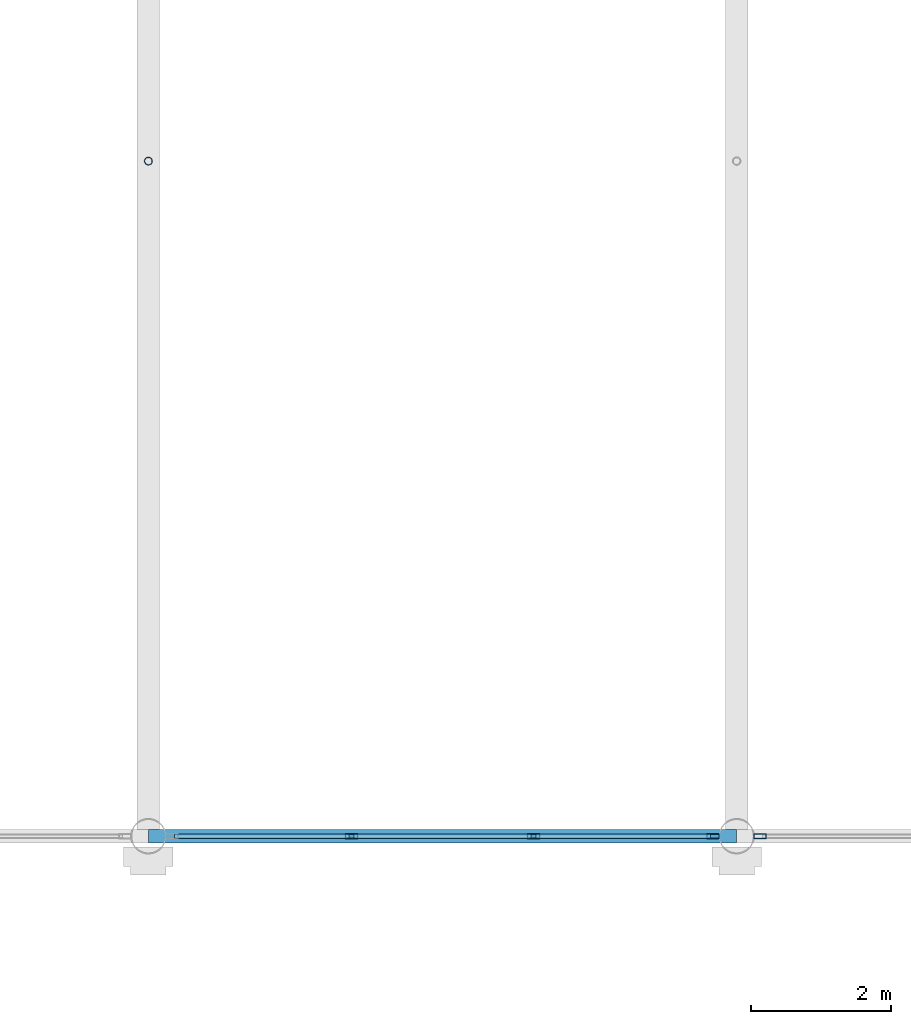
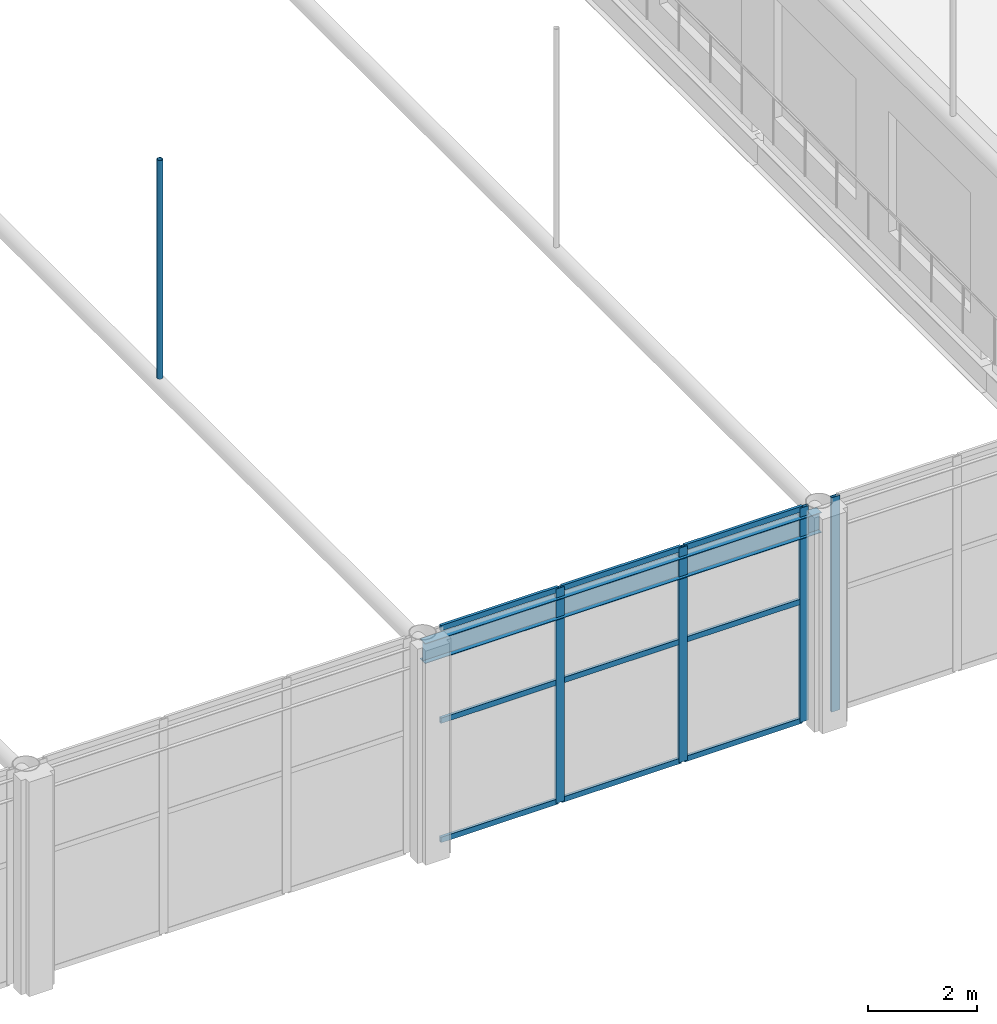
# One storey, part 23 of 167: 14 members, 1 beam, 2 elements without a shape of their own.
"""IFC4 building model written with IfcOpenShell, lengths in metres."""

from ifc_helpers import new_model, si_unit, direction, frame, origin, origin_2d, place, context, subcontext, project, spatial, hollow_rectangle, hollow_circle, i_section, extrude, material, material_profile, profile_set, type_object, element, aggregate, save


model = new_model("IFC4")

# Units and contexts
model_context = context("Model", 3, precision=1e-05, world=origin(), true_north=direction((0.0, 1.0)))
body_context = subcontext(model_context, "Body", "Model", "MODEL_VIEW")
ifc_project = project(units=[si_unit("LENGTHUNIT", "METRE"), si_unit("AREAUNIT", "SQUARE_METRE"), si_unit("VOLUMEUNIT", "CUBIC_METRE"), si_unit("PLANEANGLEUNIT", "RADIAN"), si_unit("MASSUNIT", "GRAM", prefix="KILO")], contexts=[model_context])

# Site, building, storey
site_placement = place(None, origin())
site = spatial("IfcSite", under=ifc_project, at=site_placement, CompositionType="ELEMENT")
building_placement = place(site_placement, origin())
building = spatial("IfcBuilding", under=site, at=building_placement, Name="Catenary Quay Ferry Terminal", CompositionType="ELEMENT")
storey_placement = place(building_placement, frame((0.0, 0.0, 6.0)))
storey = spatial("IfcBuildingStorey", under=building, at=storey_placement, Name="L01", CompositionType="ELEMENT", Elevation=6.0)

# Beam
ifc_material_1 = material(Name="Steel S355", Category="steel")
ifc_material_profile_1 = material_profile(ifc_material_1, i_section(OverallWidth=0.18994140625, OverallDepth=0.453369140625, WebThickness=0.008544921875, FlangeThickness=0.0126953125, at=origin_2d()), Name="UB 457x191x67")
ifc_profile_set_1 = profile_set([ifc_material_profile_1], Name="Steel S355")
beam_type = type_object("IfcBeamType", Name="B1 UB 457x191x67", PredefinedType="BEAM", material=ifc_profile_set_1)
beam_placement = place(storey_placement, frame((42.0, 67.199951171875, 4.373046875), z_axis=(1.0, 0.0, 0.0), x_axis=(0.0, 1.0, 0.0)))
element("IfcBeam", 1, at=beam_placement, inside=storey, type_object=beam_type, Name="Beam B1-003", PredefinedType="BEAM", context=body_context, shape_type="SweptSolid", body=[
    extrude(i_section(OverallWidth=0.18994140625, OverallDepth=0.453369140625, WebThickness=0.008544921875, FlangeThickness=0.0126953125, at=origin_2d()), origin(), (0.0, 0.0, 1.0), 8.39990234375),
])

# Member
ifc_material_2 = material(Name="Steel S355", Category="steel")
ifc_material_profile_2 = material_profile(ifc_material_2, hollow_circle(Radius=0.05712890625, WallThickness=0.00634765625, at=origin_2d()), Name="CHS 114.3x6.3")
ifc_profile_set_2 = profile_set([ifc_material_profile_2], Name="Steel S355")
member_type_1 = type_object("IfcMemberType", Name="HG1 CHS 114.3x6.3", PredefinedType="POST", material=ifc_profile_set_2)
member_1_placement = place(storey_placement, frame((42.0, 76.840087890625, 4.654052734375), z_axis=(0.0, 0.0, 1.0), x_axis=(1.0, 0.0, 0.0)))
element("IfcMember", 2, at=member_1_placement, inside=storey, type_object=member_type_1, Name="Hanger VA-03-03", PredefinedType="POST", context=body_context, shape_type="SweptSolid", body=[
    extrude(hollow_circle(Radius=0.05712890625, WallThickness=0.00634765625, at=origin_2d()), origin(), (0.0, 0.0, 1.0), 4.89599609375),
])

# Curtain wall, members
ifc_material_3 = material(Name="Aluminium and glass", Category="aluminium")
curtain_wall_type = type_object("IfcCurtainWallType", Name="CWH", PredefinedType="NOTDEFINED", material=ifc_material_3)
curtain_wall_1_placement = place(storey_placement, origin())
curtain_wall_1 = element("IfcCurtainWall", 3, at=curtain_wall_1_placement, inside=storey, type_object=curtain_wall_type, Name="Hall curtain wall CW34", PredefinedType="NOTDEFINED")
ifc_material_4 = material(Name="Aluminium", Category="aluminium")
ifc_material_profile_3 = material_profile(ifc_material_4, hollow_rectangle(XDim=0.070068359375, YDim=0.179931640625, WallThickness=0.006103515625, at=origin_2d()), Name="MU3")
ifc_profile_set_3 = profile_set([ifc_material_profile_3], Name="Aluminium")
member_type_2 = type_object("IfcMemberType", Name="MU3", PredefinedType="MULLION", material=ifc_profile_set_3)
member_2_placement = place(storey_placement, frame((44.89990234375, 67.199951171875, 0.0), z_axis=(0.0, 0.0, 1.0), x_axis=(0.0, 1.0, 0.0)))
member_2 = element("IfcMember", 4, at=member_2_placement, type_object=member_type_2, Name="CW34 mullion 2", PredefinedType="MULLION", context=body_context, shape_type="SweptSolid", body=[
    extrude(hollow_rectangle(XDim=0.070068359375, YDim=0.179931640625, WallThickness=0.006103515625, at=origin_2d()), origin(), (0.0, 0.0, 1.0), 4.800048828125),
])
member_3_placement = place(storey_placement, frame((47.5, 67.199951171875, 0.0), z_axis=(0.0, 0.0, 1.0), x_axis=(0.0, 1.0, 0.0)))
member_3 = element("IfcMember", 5, at=member_3_placement, type_object=member_type_2, Name="CW34 mullion 3", PredefinedType="MULLION", context=body_context, shape_type="SweptSolid", body=[
    extrude(hollow_rectangle(XDim=0.070068359375, YDim=0.179931640625, WallThickness=0.006103515625, at=origin_2d()), origin(), (0.0, 0.0, 1.0), 4.800048828125),
])
member_4_placement = place(storey_placement, frame((50.06494140625, 67.199951171875, 0.0), z_axis=(0.0, 0.0, 1.0), x_axis=(0.0, 1.0, 0.0)))
member_4 = element("IfcMember", 6, at=member_4_placement, type_object=member_type_2, Name="CW34 mullion 4", PredefinedType="MULLION", context=body_context, shape_type="SweptSolid", body=[
    extrude(hollow_rectangle(XDim=0.070068359375, YDim=0.179931640625, WallThickness=0.006103515625, at=origin_2d()), origin(), (0.0, 0.0, 1.0), 4.800048828125),
])

# Curtain wall, member
curtain_wall_2_placement = place(storey_placement, origin())
curtain_wall_2 = element("IfcCurtainWall", 7, at=curtain_wall_2_placement, inside=storey, type_object=curtain_wall_type, Name="Hall curtain wall CW35", PredefinedType="NOTDEFINED")
member_5_placement = place(storey_placement, frame((50.735107421875, 67.199951171875, 0.0), z_axis=(0.0, 0.0, 1.0), x_axis=(0.0, 1.0, 0.0)))
member_5 = element("IfcMember", 8, at=member_5_placement, type_object=member_type_2, Name="CW35 mullion 1", PredefinedType="MULLION", context=body_context, shape_type="SweptSolid", body=[
    extrude(hollow_rectangle(XDim=0.070068359375, YDim=0.179931640625, WallThickness=0.006103515625, at=origin_2d()), origin(), (0.0, 0.0, 1.0), 4.800048828125),
])
aggregate(curtain_wall_2, [member_5])

# Member
ifc_material_5 = material(Name="Aluminium", Category="aluminium")
ifc_material_profile_4 = material_profile(ifc_material_5, hollow_rectangle(XDim=0.06005859375, YDim=0.1201171875, WallThickness=0.0048828125, at=origin_2d()), Name="TR3")
ifc_profile_set_4 = profile_set([ifc_material_profile_4], Name="Aluminium")
member_type_3 = type_object("IfcMemberType", Name="TR3", PredefinedType="USERDEFINED", material=ifc_profile_set_4)
member_6_placement = place(storey_placement, frame((42.3701171875, 67.199951171875, 0.030029296875), z_axis=(1.0, 0.0, 0.0), x_axis=(0.0, 1.0, 0.0)))
member_6 = element("IfcMember", 9, at=member_6_placement, type_object=member_type_3, Name="CW34 transom 1.1", ObjectType="TRANSOM", PredefinedType="USERDEFINED", context=body_context, shape_type="SweptSolid", body=[
    extrude(hollow_rectangle(XDim=0.06005859375, YDim=0.1201171875, WallThickness=0.0048828125, at=origin_2d()), origin(), (0.0, 0.0, 1.0), 2.494873046875),
])

member_7_placement = place(storey_placement, frame((42.3701171875, 67.199951171875, 2.699951171875), z_axis=(1.0, 0.0, 0.0), x_axis=(0.0, 1.0, 0.0)))
member_7 = element("IfcMember", 10, at=member_7_placement, type_object=member_type_3, Name="CW34 transom 1.2", ObjectType="TRANSOM", PredefinedType="USERDEFINED", context=body_context, shape_type="SweptSolid", body=[
    extrude(hollow_rectangle(XDim=0.06005859375, YDim=0.1201171875, WallThickness=0.0048828125, at=origin_2d()), origin(), (0.0, 0.0, 1.0), 2.494873046875),
])

member_8_placement = place(storey_placement, frame((42.3701171875, 67.199951171875, 4.77001953125), z_axis=(1.0, 0.0, 0.0), x_axis=(0.0, 1.0, 0.0)))
member_8 = element("IfcMember", 11, at=member_8_placement, type_object=member_type_3, Name="CW34 transom 1.3", ObjectType="TRANSOM", PredefinedType="USERDEFINED", context=body_context, shape_type="SweptSolid", body=[
    extrude(hollow_rectangle(XDim=0.06005859375, YDim=0.1201171875, WallThickness=0.0048828125, at=origin_2d()), origin(), (0.0, 0.0, 1.0), 2.494873046875),
])

member_9_placement = place(storey_placement, frame((44.93505859375, 67.199951171875, 0.030029296875), z_axis=(1.0, 0.0, 0.0), x_axis=(0.0, 1.0, 0.0)))
member_9 = element("IfcMember", 12, at=member_9_placement, type_object=member_type_3, Name="CW34 transom 2.1", ObjectType="TRANSOM", PredefinedType="USERDEFINED", context=body_context, shape_type="SweptSolid", body=[
    extrude(hollow_rectangle(XDim=0.06005859375, YDim=0.1201171875, WallThickness=0.0048828125, at=origin_2d()), origin(), (0.0, 0.0, 1.0), 2.530029296875),
])

member_10_placement = place(storey_placement, frame((44.93505859375, 67.199951171875, 2.699951171875), z_axis=(1.0, 0.0, 0.0), x_axis=(0.0, 1.0, 0.0)))
member_10 = element("IfcMember", 13, at=member_10_placement, type_object=member_type_3, Name="CW34 transom 2.2", ObjectType="TRANSOM", PredefinedType="USERDEFINED", context=body_context, shape_type="SweptSolid", body=[
    extrude(hollow_rectangle(XDim=0.06005859375, YDim=0.1201171875, WallThickness=0.0048828125, at=origin_2d()), origin(), (0.0, 0.0, 1.0), 2.530029296875),
])

member_11_placement = place(storey_placement, frame((44.93505859375, 67.199951171875, 4.77001953125), z_axis=(1.0, 0.0, 0.0), x_axis=(0.0, 1.0, 0.0)))
member_11 = element("IfcMember", 14, at=member_11_placement, type_object=member_type_3, Name="CW34 transom 2.3", ObjectType="TRANSOM", PredefinedType="USERDEFINED", context=body_context, shape_type="SweptSolid", body=[
    extrude(hollow_rectangle(XDim=0.06005859375, YDim=0.1201171875, WallThickness=0.0048828125, at=origin_2d()), origin(), (0.0, 0.0, 1.0), 2.530029296875),
])

member_12_placement = place(storey_placement, frame((47.534912109375, 67.199951171875, 0.030029296875), z_axis=(1.0, 0.0, 0.0), x_axis=(0.0, 1.0, 0.0)))
member_12 = element("IfcMember", 15, at=member_12_placement, type_object=member_type_3, Name="CW34 transom 3.1", ObjectType="TRANSOM", PredefinedType="USERDEFINED", context=body_context, shape_type="SweptSolid", body=[
    extrude(hollow_rectangle(XDim=0.06005859375, YDim=0.1201171875, WallThickness=0.0048828125, at=origin_2d()), origin(), (0.0, 0.0, 1.0), 2.4951171875),
])

member_13_placement = place(storey_placement, frame((47.534912109375, 67.199951171875, 2.699951171875), z_axis=(1.0, 0.0, 0.0), x_axis=(0.0, 1.0, 0.0)))
member_13 = element("IfcMember", 16, at=member_13_placement, type_object=member_type_3, Name="CW34 transom 3.2", ObjectType="TRANSOM", PredefinedType="USERDEFINED", context=body_context, shape_type="SweptSolid", body=[
    extrude(hollow_rectangle(XDim=0.06005859375, YDim=0.1201171875, WallThickness=0.0048828125, at=origin_2d()), origin(), (0.0, 0.0, 1.0), 2.4951171875),
])

member_14_placement = place(storey_placement, frame((47.534912109375, 67.199951171875, 4.77001953125), z_axis=(1.0, 0.0, 0.0), x_axis=(0.0, 1.0, 0.0)))
member_14 = element("IfcMember", 17, at=member_14_placement, type_object=member_type_3, Name="CW34 transom 3.3", ObjectType="TRANSOM", PredefinedType="USERDEFINED", context=body_context, shape_type="SweptSolid", body=[
    extrude(hollow_rectangle(XDim=0.06005859375, YDim=0.1201171875, WallThickness=0.0048828125, at=origin_2d()), origin(), (0.0, 0.0, 1.0), 2.4951171875),
])

aggregate(curtain_wall_1, [member_2, member_3, member_4, member_6, member_7, member_8, member_9, member_10, member_11, member_12, member_13, member_14])

save(model, "model.ifc")
